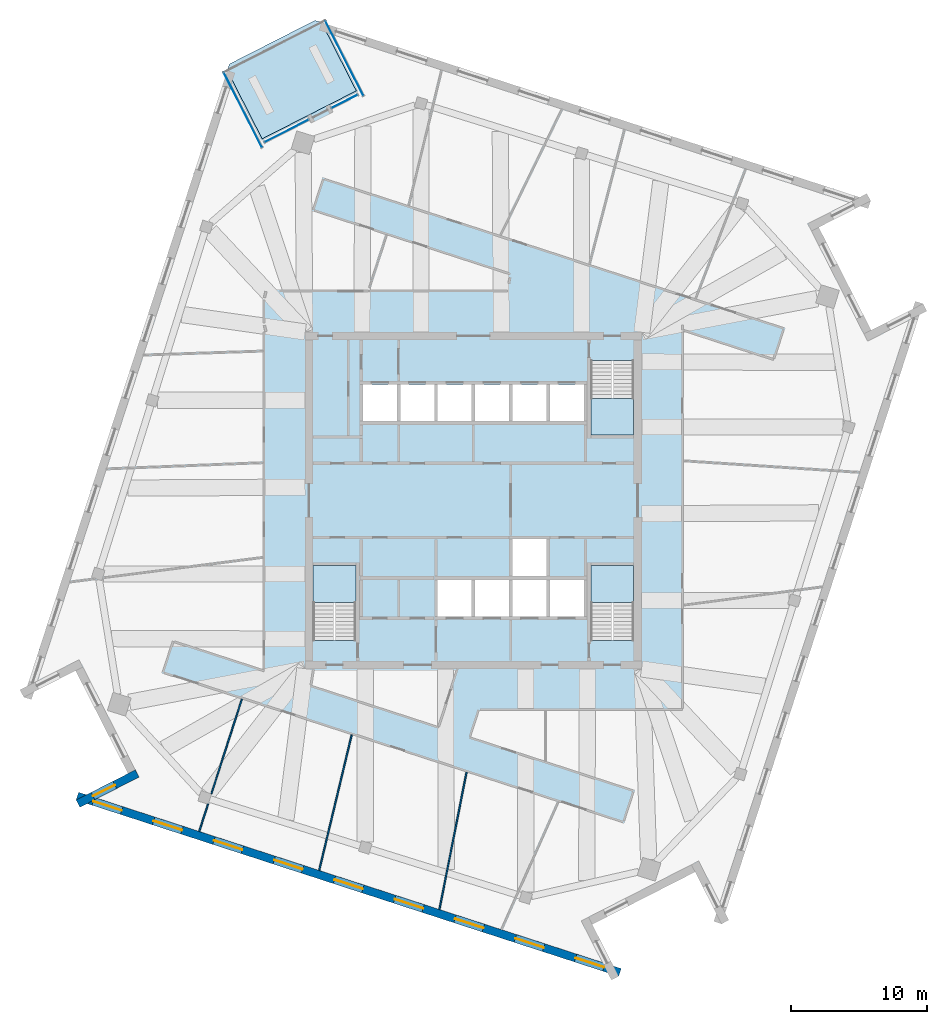
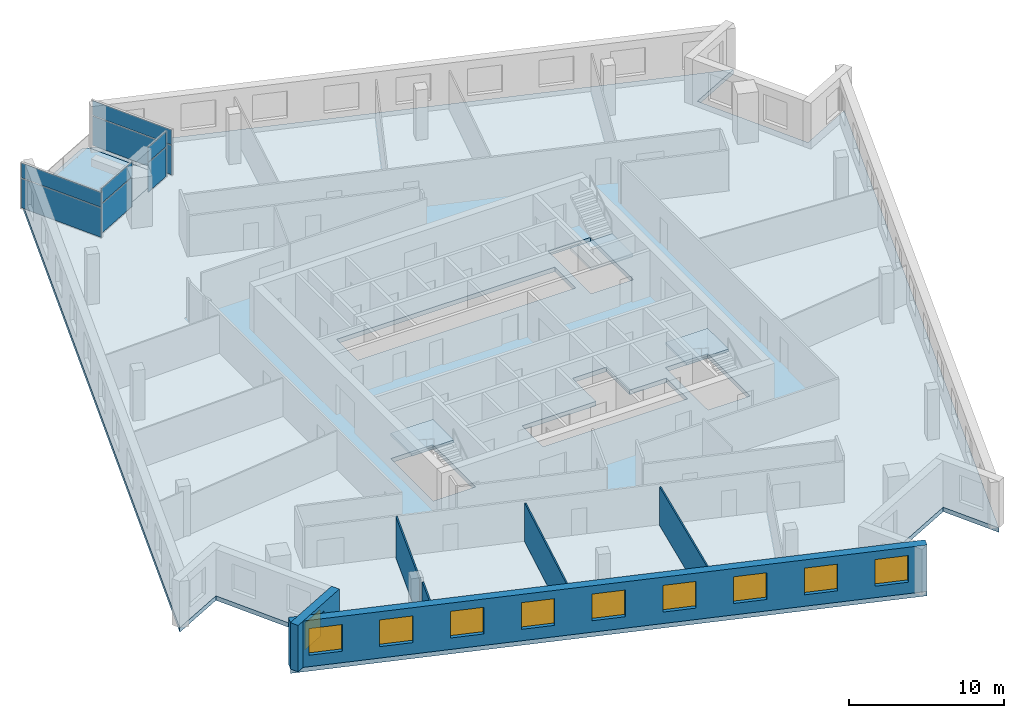
# One storey, part 5 of 13: 10 windows, 8 plates, 6 walls, 5 slabs, 10 openings, 7 elements without a shape of their own.
"""IFC4 building model written with IfcOpenShell, lengths in metres."""

from ifc_helpers import new_model, si_unit, direction, frame, frame_2d, origin, origin_2d, place, context, subcontext, project, spatial, polyline, rectangle, outline, extrude, material, layer, layer_set, type_object, element, fill, aggregate, save


model = new_model("IFC4")

# Units and contexts
model_context = context("Model", 3, precision=1e-05, world=origin(), true_north=direction((0.0, 1.0)))
body_context = subcontext(model_context, "Body", "Model", "MODEL_VIEW")
ifc_project = project(units=[si_unit("LENGTHUNIT", "METRE"), si_unit("AREAUNIT", "SQUARE_METRE"), si_unit("VOLUMEUNIT", "CUBIC_METRE"), si_unit("PLANEANGLEUNIT", "RADIAN"), si_unit("MASSUNIT", "GRAM", prefix="KILO")], contexts=[model_context])

# Site, building, storey
site_placement = place(None, origin())
site = spatial("IfcSite", under=ifc_project, at=site_placement, CompositionType="ELEMENT")
building_placement = place(site_placement, origin())
building = spatial("IfcBuilding", under=site, at=building_placement, Name="Dilmun Exchange Tower", CompositionType="ELEMENT")
storey_placement = place(building_placement, frame((0.0, 0.0, 320.5)))
storey = spatial("IfcBuildingStorey", under=building, at=storey_placement, Name="L76", CompositionType="ELEMENT", Elevation=320.5)

# Stair, slab
ifc_material_1 = material(Name="Concrete C40/50", Category="concrete")
stair_type = type_object("IfcStairType", Name="Exit stair 1500 half-turn", PredefinedType="HALF_TURN_STAIR", material=ifc_material_1)
stair_1_placement = place(storey_placement, origin())
stair_1 = element("IfcStair", 1, at=stair_1_placement, inside=storey, type_object=stair_type, Name="L76 Protected exit stair ST1", PredefinedType="HALF_TURN_STAIR")
ifc_layer_1 = layer(ifc_material_1, 0.199951171875)
ifc_layer_set_1 = layer_set([ifc_layer_1], Name="Concrete C40/50")
slab_type_1 = type_object("IfcSlabType", Name="Exit stair landing 200", PredefinedType="LANDING", material=ifc_layer_set_1)
slab_1_placement = place(storey_placement, frame((0.0, 0.0, 1.800048828125)))
slab_1 = element("IfcSlab", 2, at=slab_1_placement, type_object=slab_type_1, Name="ST1 landing 1", PredefinedType="LANDING", context=body_context, shape_type="SweptSolid", body=[
    extrude(outline(polyline([(8.64990234375, 7.5), (8.64990234375, 4.800048828125), (11.800048828125, 4.800048828125), (11.800048828125, 7.5), (8.64990234375, 7.5)])), origin(), (0.0, 0.0, 1.0), 0.199951171875),
])
aggregate(stair_1, [slab_1])

stair_2_placement = place(storey_placement, origin())
stair_2 = element("IfcStair", 3, at=stair_2_placement, inside=storey, type_object=stair_type, Name="L76 Protected exit stair ST2", PredefinedType="HALF_TURN_STAIR")
slab_2_placement = place(storey_placement, frame((0.0, 0.0, 1.800048828125)))
slab_2 = element("IfcSlab", 4, at=slab_2_placement, type_object=slab_type_1, Name="ST2 landing 1", PredefinedType="LANDING", context=body_context, shape_type="SweptSolid", body=[
    extrude(outline(polyline([(-8.64990234375, -7.5), (-8.64990234375, -4.800048828125), (-11.800048828125, -4.800048828125), (-11.800048828125, -7.5), (-8.64990234375, -7.5)])), origin(), (0.0, 0.0, 1.0), 0.199951171875),
])
aggregate(stair_2, [slab_2])

stair_3_placement = place(storey_placement, origin())
stair_3 = element("IfcStair", 5, at=stair_3_placement, inside=storey, type_object=stair_type, Name="L76 Protected exit stair ST3", PredefinedType="HALF_TURN_STAIR")
slab_3_placement = place(storey_placement, frame((0.0, 0.0, 1.800048828125)))
slab_3 = element("IfcSlab", 6, at=slab_3_placement, type_object=slab_type_1, Name="ST3 landing 1", PredefinedType="LANDING", context=body_context, shape_type="SweptSolid", body=[
    extrude(outline(polyline([(11.800048828125, -7.5), (11.800048828125, -4.800048828125), (8.64990234375, -4.800048828125), (8.64990234375, -7.5), (11.800048828125, -7.5)])), origin(), (0.0, 0.0, 1.0), 0.199951171875),
])
aggregate(stair_3, [slab_3])

# Curtain wall, plates
ifc_material_2 = material(Name="Anodised aluminium and clear glass", Category="aluminium")
curtain_wall_type = type_object("IfcCurtainWallType", Name="Garden corner glazing", PredefinedType="NOTDEFINED", material=ifc_material_2)
curtain_wall_1_placement = place(storey_placement, origin())
curtain_wall_1 = element("IfcCurtainWall", 7, at=curtain_wall_1_placement, inside=storey, type_object=curtain_wall_type, Name="Garden corner glazing run GC1.1", PredefinedType="NOTDEFINED")
ifc_material_3 = material(Name="Clear glass", Category="glass")
ifc_layer_2 = layer(ifc_material_3, 0.028076171875)
ifc_layer_set_2 = layer_set([ifc_layer_2], Name="Clear glass")
plate_type = type_object("IfcPlateType", Name="Garden corner glazing glass panel 28", PredefinedType="CURTAIN_PANEL", material=ifc_layer_set_2)
plate_1_placement = place(storey_placement, frame((-9.491943359375, 32.529052734375, 0.06005859375), z_axis=(0.0, 0.0, 1.0), x_axis=(0.453982137668, -0.891010784827, 0.0)))
plate_1 = element("IfcPlate", 8, at=plate_1_placement, type_object=plate_type, Name="GC1.1 panel 1.1", PredefinedType="CURTAIN_PANEL", context=body_context, shape_type="SweptSolid", body=[
    extrude(rectangle(XDim=6.12646484375, YDim=0.028076171875, at=origin_2d()), origin(), (0.0, 0.0, 1.0), 2.31005859375),
])
plate_2_placement = place(storey_placement, frame((-9.491943359375, 32.529052734375, 2.43017578125), z_axis=(0.0, 0.0, 1.0), x_axis=(0.453982137668, -0.891010784827, 0.0)))
plate_2 = element("IfcPlate", 9, at=plate_2_placement, type_object=plate_type, Name="GC1.1 panel 1.2", PredefinedType="CURTAIN_PANEL", context=body_context, shape_type="SweptSolid", body=[
    extrude(rectangle(XDim=6.12646484375, YDim=0.028076171875, at=origin_2d()), origin(), (0.0, 0.0, 1.0), 1.159912109375),
])
aggregate(curtain_wall_1, [plate_1, plate_2])

curtain_wall_2_placement = place(storey_placement, origin())
curtain_wall_2 = element("IfcCurtainWall", 10, at=curtain_wall_2_placement, inside=storey, type_object=curtain_wall_type, Name="Garden corner glazing run GC2.1", PredefinedType="NOTDEFINED")
plate_3_placement = place(storey_placement, frame((-9.47509765625, 29.368896484375, 0.06005859375), z_axis=(0.0, 0.0, 1.0), x_axis=(-0.891007115267, -0.453989339681, 0.0)))
plate_3 = element("IfcPlate", 11, at=plate_3_placement, type_object=plate_type, Name="GC2.1 panel 1.1", PredefinedType="CURTAIN_PANEL", context=body_context, shape_type="SweptSolid", body=[
    extrude(rectangle(XDim=2.119140625, YDim=0.028076171875, at=origin_2d()), origin(), (0.0, 0.0, 1.0), 2.31005859375),
])
plate_4_placement = place(storey_placement, frame((-9.47509765625, 29.368896484375, 2.43017578125), z_axis=(0.0, 0.0, 1.0), x_axis=(-0.891007115267, -0.453989339681, 0.0)))
plate_4 = element("IfcPlate", 12, at=plate_4_placement, type_object=plate_type, Name="GC2.1 panel 1.2", PredefinedType="CURTAIN_PANEL", context=body_context, shape_type="SweptSolid", body=[
    extrude(rectangle(XDim=2.119140625, YDim=0.028076171875, at=origin_2d()), origin(), (0.0, 0.0, 1.0), 1.159912109375),
])
aggregate(curtain_wall_2, [plate_3, plate_4])

curtain_wall_3_placement = place(storey_placement, origin())
curtain_wall_3 = element("IfcCurtainWall", 13, at=curtain_wall_3_placement, inside=storey, type_object=curtain_wall_type, Name="Garden corner glazing run GC2.3", PredefinedType="NOTDEFINED")
plate_5_placement = place(storey_placement, frame((-13.7421875, 27.19482421875, 0.06005859375), z_axis=(0.0, 0.0, 1.0), x_axis=(-0.891010309204, -0.453983071152, 0.0)))
plate_5 = element("IfcPlate", 14, at=plate_5_placement, type_object=plate_type, Name="GC2.3 panel 1.1", PredefinedType="CURTAIN_PANEL", context=body_context, shape_type="SweptSolid", body=[
    extrude(rectangle(XDim=3.619140625, YDim=0.028076171875, at=origin_2d()), origin(), (0.0, 0.0, 1.0), 2.31005859375),
])
plate_6_placement = place(storey_placement, frame((-13.7421875, 27.19482421875, 2.43017578125), z_axis=(0.0, 0.0, 1.0), x_axis=(-0.891010309204, -0.453983071152, 0.0)))
plate_6 = element("IfcPlate", 15, at=plate_6_placement, type_object=plate_type, Name="GC2.3 panel 1.2", PredefinedType="CURTAIN_PANEL", context=body_context, shape_type="SweptSolid", body=[
    extrude(rectangle(XDim=3.619140625, YDim=0.028076171875, at=origin_2d()), origin(), (0.0, 0.0, 1.0), 1.159912109375),
])
aggregate(curtain_wall_3, [plate_5, plate_6])

curtain_wall_4_placement = place(storey_placement, origin())
curtain_wall_4 = element("IfcCurtainWall", 16, at=curtain_wall_4_placement, inside=storey, type_object=curtain_wall_type, Name="Garden corner glazing run GC3.1", PredefinedType="NOTDEFINED")
plate_7_placement = place(storey_placement, frame((-16.95703125, 28.725341796875, 0.06005859375), z_axis=(0.0, 0.0, 1.0), x_axis=(-0.453988613418, 0.891007485315, 0.0)))
plate_7 = element("IfcPlate", 17, at=plate_7_placement, type_object=plate_type, Name="GC3.1 panel 1.1", PredefinedType="CURTAIN_PANEL", context=body_context, shape_type="SweptSolid", body=[
    extrude(rectangle(XDim=6.12646484375, YDim=0.028076171875, at=origin_2d()), origin(), (0.0, 0.0, 1.0), 2.31005859375),
])
plate_8_placement = place(storey_placement, frame((-16.95703125, 28.725341796875, 2.43017578125), z_axis=(0.0, 0.0, 1.0), x_axis=(-0.453988613418, 0.891007485315, 0.0)))
plate_8 = element("IfcPlate", 18, at=plate_8_placement, type_object=plate_type, Name="GC3.1 panel 1.2", PredefinedType="CURTAIN_PANEL", context=body_context, shape_type="SweptSolid", body=[
    extrude(rectangle(XDim=6.12646484375, YDim=0.028076171875, at=origin_2d()), origin(), (0.0, 0.0, 1.0), 1.159912109375),
])
aggregate(curtain_wall_4, [plate_7, plate_8])

# Slabs
ifc_layer_3 = layer(ifc_material_1, 0.35009765625)
ifc_layer_set_3 = layer_set([ifc_layer_3], Name="Concrete C40/50")
slab_type_2 = type_object("IfcSlabType", Name="RC floor slab 350", PredefinedType="FLOOR", material=ifc_layer_set_3)
slab_4_placement = place(storey_placement, frame((0.0, 0.0, -0.35009765625)))
element("IfcSlab", 19, at=slab_4_placement, inside=storey, type_object=slab_type_2, Name="Floor slab", PredefinedType="FLOOR", context=body_context, shape_type="SweptSolid", body=[
    extrude(outline(polyline([(25.414306640625, 20.10009765625), (29.273193359375, 12.5263671875), (33.091796875, 14.471923828125), (18.265380859375, -31.158935546875), (16.319580078125, -27.340576171875), (8.74609375, -31.199462890625), (10.69189453125, -35.017822265625), (-29.23291015625, -22.045654296875), (-25.414306640625, -20.10009765625), (-29.273193359375, -12.5263671875), (-33.091796875, -14.471923828125), (-18.107666015625, 31.644287109375), (-15.544189453125, 26.61328125), (-8.61376953125, 30.14453125), (-11.17724609375, 35.175537109375), (29.23291015625, 22.045654296875), (25.414306640625, 20.10009765625)]), holes=[polyline([(-8.64990234375, -4.800048828125), (-11.800048828125, -4.800048828125), (-11.800048828125, -10.294921875), (-8.64990234375, -10.294921875), (-8.64990234375, -4.800048828125)]), polyline([(11.800048828125, -4.800048828125), (8.64990234375, -4.800048828125), (8.64990234375, -10.294921875), (11.800048828125, -10.294921875), (11.800048828125, -4.800048828125)]), polyline([(2.875, -5.85009765625), (-2.625, -5.85009765625), (-2.625, -8.550048828125), (8.125, -8.550048828125), (8.125, -5.85009765625), (5.375, -5.85009765625), (5.375, -2.85009765625), (2.875, -2.85009765625), (2.875, -5.85009765625)]), polyline([(8.125, 5.85009765625), (8.125, 8.550048828125), (-8.125, 8.550048828125), (-8.125, 5.85009765625), (8.125, 5.85009765625)]), polyline([(8.64990234375, 10.294921875), (8.64990234375, 4.800048828125), (11.800048828125, 4.800048828125), (11.800048828125, 10.294921875), (8.64990234375, 10.294921875)])]), origin(), (0.0, 0.0, 1.0), 0.35009765625),
])
ifc_layer_4 = layer(ifc_material_1, 0.300048828125)
ifc_layer_set_4 = layer_set([ifc_layer_4], Name="Concrete C40/50")
slab_type_3 = type_object("IfcSlabType", Name="RC garden terrace slab 300", PredefinedType="FLOOR", material=ifc_layer_set_4)
slab_5_placement = place(storey_placement, frame((0.0, 0.0, -0.300048828125)))
element("IfcSlab", 20, at=slab_5_placement, inside=storey, type_object=slab_type_3, Name="Garden terrace slab", PredefinedType="FLOOR", context=body_context, shape_type="SweptSolid", body=[
    extrude(outline(polyline([(-15.544189453125, 26.61328125), (-18.107666015625, 31.644287109375), (-17.953125, 32.119873046875), (-11.652587890625, 35.330078125), (-11.17724609375, 35.175537109375), (-8.61376953125, 30.14453125), (-15.544189453125, 26.61328125)])), origin(), (0.0, 0.0, 1.0), 0.300048828125),
])

# Walls
ifc_material_4 = material(Name="Partition 100")
ifc_layer_5 = layer(ifc_material_4, 0.10009765625)
ifc_layer_set_5 = layer_set([ifc_layer_5], Name="Partition 100")
wall_type_1 = type_object("IfcWallType", Name="Partition 100", PredefinedType="PARTITIONING", material=ifc_layer_set_5)
wall_1_placement = place(storey_placement, frame((-20.17626953125, -24.355224609375, 0.0), z_axis=(0.0, 0.0, 1.0), x_axis=(0.307097655816, 0.951678007412, 0.0)))
element("IfcWall", 21, at=wall_1_placement, inside=storey, type_object=wall_type_1, Name="Partition", PredefinedType="PARTITIONING", context=body_context, shape_type="SweptSolid", body=[
    extrude(rectangle(XDim=2.105224609375, YDim=0.10009765625, at=frame_2d((1.052734375, 0.0))), origin(), (0.0, 0.0, 1.0), 3.64990234375),
])
wall_2_placement = place(storey_placement, frame((-19.2841796875, -21.59033203125, 0.0), z_axis=(0.0, 0.0, 1.0), x_axis=(0.307047557854, 0.951694172103, 0.0)))
element("IfcWall", 22, at=wall_2_placement, inside=storey, type_object=wall_type_1, Name="Partition", PredefinedType="PARTITIONING", context=body_context, shape_type="SweptSolid", body=[
    extrude(rectangle(XDim=7.327880859375, YDim=0.10009765625, at=frame_2d((3.6640625, 0.0))), origin(), (0.0, 0.0, 1.0), 3.25),
])
wall_3_placement = place(storey_placement, frame((-11.34716796875, -27.223876953125, 0.0), z_axis=(0.0, 0.0, 1.0), x_axis=(0.233270362444, 0.972411917865, 0.0)))
element("IfcWall", 23, at=wall_3_placement, inside=storey, type_object=wall_type_1, Name="Partition", PredefinedType="PARTITIONING", context=body_context, shape_type="SweptSolid", body=[
    extrude(rectangle(XDim=10.2607421875, YDim=0.10009765625, at=frame_2d((5.13037109375, 0.0))), origin(), (0.0, 0.0, 1.0), 3.050048828125),
])
wall_4_placement = place(storey_placement, frame((-2.498291015625, -30.09912109375, 0.0), z_axis=(0.0, 0.0, 1.0), x_axis=(0.193832041147, 0.981034729164, 0.0)))
element("IfcWall", 24, at=wall_4_placement, inside=storey, type_object=wall_type_1, Name="Partition", PredefinedType="PARTITIONING", context=body_context, shape_type="SweptSolid", body=[
    extrude(rectangle(XDim=10.300537109375, YDim=0.10009765625, at=frame_2d((5.150390625, 0.0))), origin(), (0.0, 0.0, 1.0), 3.050048828125),
])

# Wall, opening, window
ifc_material_5 = material(Name="Precast concrete C50/60", Category="concrete")
ifc_layer_6 = layer(ifc_material_5, 0.60009765625)
ifc_layer_set_6 = layer_set([ifc_layer_6], Name="Precast concrete C50/60")
wall_type_2 = type_object("IfcWallType", Name="Precast stone-clad wall 600", PredefinedType="STANDARD", material=ifc_layer_set_6)
wall_5_placement = place(storey_placement, frame((-24.74365234375, -20.094970703125, 0.0), z_axis=(0.0, 0.0, 1.0), x_axis=(-0.891003264926, -0.453996896346, 0.0)))
wall_5 = element("IfcWall", 25, at=wall_5_placement, inside=storey, type_object=wall_type_2, Name="Facade wall L76-06", PredefinedType="STANDARD", context=body_context, shape_type="SweptSolid", body=[
    extrude(rectangle(XDim=4.885498046875, YDim=0.60009765625, at=frame_2d((2.44287109375, 0.0))), origin(), (0.0, 0.0, 1.0), 3.64990234375),
])
opening_1_placement = place(wall_5_placement, frame((1.8427734375, 0.0, 0.89990234375)))
opening_1 = element("IfcOpeningElement", 26, at=opening_1_placement, cuts=wall_5, Name="Opening W180-210", PredefinedType="OPENING", context=body_context, shape_type="SweptSolid", body=[
    extrude(rectangle(XDim=1.800048828125, YDim=2.10009765625, at=frame_2d((0.89990234375, 1.050048828125))), frame((0.0, 0.31005859375, 0.0), z_axis=(0.0, -1.0, 0.0), x_axis=(1.0, 0.0, 0.0)), (0.0, 0.0, 1.0), 0.6201171875),
])
ifc_material_6 = material(Name="Clear low-emissivity glass in aluminium frame", Category="aluminium")
window_type_1 = type_object("IfcWindowType", Name="Punched window 1800 x 2100", PartitioningType="DOUBLE_PANEL_VERTICAL", PredefinedType="WINDOW", material=ifc_material_6)
window_1_placement = place(opening_1_placement, origin())
window_1 = element("IfcWindow", 27, at=window_1_placement, inside=storey, type_object=window_type_1, Name="Window 7.1", OverallHeight=2.10009765625, OverallWidth=1.800048828125, PartitioningType="SINGLE_PANEL", PredefinedType="WINDOW", context=body_context, shape_type="SweptSolid", body=[
    extrude(rectangle(XDim=1.800048828125, YDim=2.10009765625, at=frame_2d((0.89990234375, 1.050048828125))), frame((0.0, 0.030029296875, 0.0), z_axis=(0.0, -1.0, 0.0), x_axis=(1.0, 0.0, 0.0)), (0.0, 0.0, 1.0), 0.06005859375),
])
fill(opening_1, window_1)

# Wall, openings, windows
wall_6_placement = place(storey_placement, frame((-29.14013671875, -21.76025390625, 0.0), z_axis=(0.0, 0.0, 1.0), x_axis=(0.951057273207, -0.309014664831, 0.0)))
wall_6 = element("IfcWall", 28, at=wall_6_placement, inside=storey, type_object=wall_type_2, Name="Facade wall L76-07", PredefinedType="STANDARD", context=body_context, shape_type="SweptSolid", body=[
    extrude(rectangle(XDim=41.979248046875, YDim=0.60009765625, at=frame_2d((20.98974609375, 0.0))), origin(), (0.0, 0.0, 1.0), 3.64990234375),
])
opening_2_placement = place(wall_6_placement, frame((1.232177734375, 0.0, 0.89990234375)))
opening_2 = element("IfcOpeningElement", 29, at=opening_2_placement, cuts=wall_6, Name="Opening W220-210", PredefinedType="OPENING", context=body_context, shape_type="SweptSolid", body=[
    extrude(rectangle(XDim=2.199951171875, YDim=2.10009765625, at=frame_2d((1.10009765625, 1.050048828125))), frame((0.0, 0.31005859375, 0.0), z_axis=(0.0, -1.0, 0.0), x_axis=(1.0, 0.0, 0.0)), (0.0, 0.0, 1.0), 0.6201171875),
])
opening_3_placement = place(wall_6_placement, frame((5.896484375, 0.0, 0.89990234375)))
opening_3 = element("IfcOpeningElement", 30, at=opening_3_placement, cuts=wall_6, Name="Opening W220-210", PredefinedType="OPENING", context=body_context, shape_type="SweptSolid", body=[
    extrude(rectangle(XDim=2.199951171875, YDim=2.10009765625, at=frame_2d((1.10009765625, 1.050048828125))), frame((0.0, 0.31005859375, 0.0), z_axis=(0.0, -1.0, 0.0), x_axis=(1.0, 0.0, 0.0)), (0.0, 0.0, 1.0), 0.6201171875),
])
opening_4_placement = place(wall_6_placement, frame((10.560791015625, 0.0, 0.89990234375)))
opening_4 = element("IfcOpeningElement", 31, at=opening_4_placement, cuts=wall_6, Name="Opening W220-210", PredefinedType="OPENING", context=body_context, shape_type="SweptSolid", body=[
    extrude(rectangle(XDim=2.199951171875, YDim=2.10009765625, at=frame_2d((1.10009765625, 1.050048828125))), frame((0.0, 0.31005859375, 0.0), z_axis=(0.0, -1.0, 0.0), x_axis=(1.0, 0.0, 0.0)), (0.0, 0.0, 1.0), 0.6201171875),
])
opening_5_placement = place(wall_6_placement, frame((15.22509765625, 0.0, 0.89990234375)))
opening_5 = element("IfcOpeningElement", 32, at=opening_5_placement, cuts=wall_6, Name="Opening W220-210", PredefinedType="OPENING", context=body_context, shape_type="SweptSolid", body=[
    extrude(rectangle(XDim=2.199951171875, YDim=2.10009765625, at=frame_2d((1.10009765625, 1.050048828125))), frame((0.0, 0.31005859375, 0.0), z_axis=(0.0, -1.0, 0.0), x_axis=(1.0, 0.0, 0.0)), (0.0, 0.0, 1.0), 0.6201171875),
])
opening_6_placement = place(wall_6_placement, frame((19.8896484375, 0.0, 0.89990234375)))
opening_6 = element("IfcOpeningElement", 33, at=opening_6_placement, cuts=wall_6, Name="Opening W220-210", PredefinedType="OPENING", context=body_context, shape_type="SweptSolid", body=[
    extrude(rectangle(XDim=2.199951171875, YDim=2.10009765625, at=frame_2d((1.10009765625, 1.050048828125))), frame((0.0, 0.31005859375, 0.0), z_axis=(0.0, -1.0, 0.0), x_axis=(1.0, 0.0, 0.0)), (0.0, 0.0, 1.0), 0.6201171875),
])
opening_7_placement = place(wall_6_placement, frame((24.553955078125, 0.0, 0.89990234375)))
opening_7 = element("IfcOpeningElement", 34, at=opening_7_placement, cuts=wall_6, Name="Opening W220-210", PredefinedType="OPENING", context=body_context, shape_type="SweptSolid", body=[
    extrude(rectangle(XDim=2.199951171875, YDim=2.10009765625, at=frame_2d((1.10009765625, 1.050048828125))), frame((0.0, 0.31005859375, 0.0), z_axis=(0.0, -1.0, 0.0), x_axis=(1.0, 0.0, 0.0)), (0.0, 0.0, 1.0), 0.6201171875),
])
opening_8_placement = place(wall_6_placement, frame((29.21826171875, 0.0, 0.89990234375)))
opening_8 = element("IfcOpeningElement", 35, at=opening_8_placement, cuts=wall_6, Name="Opening W220-210", PredefinedType="OPENING", context=body_context, shape_type="SweptSolid", body=[
    extrude(rectangle(XDim=2.199951171875, YDim=2.10009765625, at=frame_2d((1.10009765625, 1.050048828125))), frame((0.0, 0.31005859375, 0.0), z_axis=(0.0, -1.0, 0.0), x_axis=(1.0, 0.0, 0.0)), (0.0, 0.0, 1.0), 0.6201171875),
])
opening_9_placement = place(wall_6_placement, frame((33.8828125, 0.0, 0.89990234375)))
opening_9 = element("IfcOpeningElement", 36, at=opening_9_placement, cuts=wall_6, Name="Opening W220-210", PredefinedType="OPENING", context=body_context, shape_type="SweptSolid", body=[
    extrude(rectangle(XDim=2.199951171875, YDim=2.10009765625, at=frame_2d((1.10009765625, 1.050048828125))), frame((0.0, 0.31005859375, 0.0), z_axis=(0.0, -1.0, 0.0), x_axis=(1.0, 0.0, 0.0)), (0.0, 0.0, 1.0), 0.6201171875),
])
opening_10_placement = place(wall_6_placement, frame((38.547119140625, 0.0, 0.89990234375)))
opening_10 = element("IfcOpeningElement", 37, at=opening_10_placement, cuts=wall_6, Name="Opening W220-210", PredefinedType="OPENING", context=body_context, shape_type="SweptSolid", body=[
    extrude(rectangle(XDim=2.199951171875, YDim=2.10009765625, at=frame_2d((1.10009765625, 1.050048828125))), frame((0.0, 0.31005859375, 0.0), z_axis=(0.0, -1.0, 0.0), x_axis=(1.0, 0.0, 0.0)), (0.0, 0.0, 1.0), 0.6201171875),
])
window_type_2 = type_object("IfcWindowType", Name="Punched window 2200 x 2100", PartitioningType="DOUBLE_PANEL_VERTICAL", PredefinedType="WINDOW", material=ifc_material_6)
window_2_placement = place(opening_2_placement, origin())
window_2 = element("IfcWindow", 38, at=window_2_placement, inside=storey, type_object=window_type_2, Name="Window 8.1", OverallHeight=2.10009765625, OverallWidth=2.199951171875, PartitioningType="SINGLE_PANEL", PredefinedType="WINDOW", context=body_context, shape_type="SweptSolid", body=[
    extrude(rectangle(XDim=2.199951171875, YDim=2.10009765625, at=frame_2d((1.10009765625, 1.050048828125))), frame((0.0, 0.030029296875, 0.0), z_axis=(0.0, -1.0, 0.0), x_axis=(1.0, 0.0, 0.0)), (0.0, 0.0, 1.0), 0.06005859375),
])
fill(opening_2, window_2)
window_3_placement = place(opening_3_placement, origin())
window_3 = element("IfcWindow", 39, at=window_3_placement, inside=storey, type_object=window_type_2, Name="Window 8.2", OverallHeight=2.10009765625, OverallWidth=2.199951171875, PartitioningType="SINGLE_PANEL", PredefinedType="WINDOW", context=body_context, shape_type="SweptSolid", body=[
    extrude(rectangle(XDim=2.199951171875, YDim=2.10009765625, at=frame_2d((1.10009765625, 1.050048828125))), frame((0.0, 0.030029296875, 0.0), z_axis=(0.0, -1.0, 0.0), x_axis=(1.0, 0.0, 0.0)), (0.0, 0.0, 1.0), 0.06005859375),
])
fill(opening_3, window_3)
window_4_placement = place(opening_4_placement, origin())
window_4 = element("IfcWindow", 40, at=window_4_placement, inside=storey, type_object=window_type_2, Name="Window 8.3", OverallHeight=2.10009765625, OverallWidth=2.199951171875, PartitioningType="SINGLE_PANEL", PredefinedType="WINDOW", context=body_context, shape_type="SweptSolid", body=[
    extrude(rectangle(XDim=2.199951171875, YDim=2.10009765625, at=frame_2d((1.10009765625, 1.050048828125))), frame((0.0, 0.030029296875, 0.0), z_axis=(0.0, -1.0, 0.0), x_axis=(1.0, 0.0, 0.0)), (0.0, 0.0, 1.0), 0.06005859375),
])
fill(opening_4, window_4)
window_5_placement = place(opening_5_placement, origin())
window_5 = element("IfcWindow", 41, at=window_5_placement, inside=storey, type_object=window_type_2, Name="Window 8.4", OverallHeight=2.10009765625, OverallWidth=2.199951171875, PartitioningType="SINGLE_PANEL", PredefinedType="WINDOW", context=body_context, shape_type="SweptSolid", body=[
    extrude(rectangle(XDim=2.199951171875, YDim=2.10009765625, at=frame_2d((1.10009765625, 1.050048828125))), frame((0.0, 0.030029296875, 0.0), z_axis=(0.0, -1.0, 0.0), x_axis=(1.0, 0.0, 0.0)), (0.0, 0.0, 1.0), 0.06005859375),
])
fill(opening_5, window_5)
window_6_placement = place(opening_6_placement, origin())
window_6 = element("IfcWindow", 42, at=window_6_placement, inside=storey, type_object=window_type_2, Name="Window 8.5", OverallHeight=2.10009765625, OverallWidth=2.199951171875, PartitioningType="SINGLE_PANEL", PredefinedType="WINDOW", context=body_context, shape_type="SweptSolid", body=[
    extrude(rectangle(XDim=2.199951171875, YDim=2.10009765625, at=frame_2d((1.10009765625, 1.050048828125))), frame((0.0, 0.030029296875, 0.0), z_axis=(0.0, -1.0, 0.0), x_axis=(1.0, 0.0, 0.0)), (0.0, 0.0, 1.0), 0.06005859375),
])
fill(opening_6, window_6)
window_7_placement = place(opening_7_placement, origin())
window_7 = element("IfcWindow", 43, at=window_7_placement, inside=storey, type_object=window_type_2, Name="Window 8.6", OverallHeight=2.10009765625, OverallWidth=2.199951171875, PartitioningType="SINGLE_PANEL", PredefinedType="WINDOW", context=body_context, shape_type="SweptSolid", body=[
    extrude(rectangle(XDim=2.199951171875, YDim=2.10009765625, at=frame_2d((1.10009765625, 1.050048828125))), frame((0.0, 0.030029296875, 0.0), z_axis=(0.0, -1.0, 0.0), x_axis=(1.0, 0.0, 0.0)), (0.0, 0.0, 1.0), 0.06005859375),
])
fill(opening_7, window_7)
window_8_placement = place(opening_8_placement, origin())
window_8 = element("IfcWindow", 44, at=window_8_placement, inside=storey, type_object=window_type_2, Name="Window 8.7", OverallHeight=2.10009765625, OverallWidth=2.199951171875, PartitioningType="SINGLE_PANEL", PredefinedType="WINDOW", context=body_context, shape_type="SweptSolid", body=[
    extrude(rectangle(XDim=2.199951171875, YDim=2.10009765625, at=frame_2d((1.10009765625, 1.050048828125))), frame((0.0, 0.030029296875, 0.0), z_axis=(0.0, -1.0, 0.0), x_axis=(1.0, 0.0, 0.0)), (0.0, 0.0, 1.0), 0.06005859375),
])
fill(opening_8, window_8)
window_9_placement = place(opening_9_placement, origin())
window_9 = element("IfcWindow", 45, at=window_9_placement, inside=storey, type_object=window_type_2, Name="Window 8.8", OverallHeight=2.10009765625, OverallWidth=2.199951171875, PartitioningType="SINGLE_PANEL", PredefinedType="WINDOW", context=body_context, shape_type="SweptSolid", body=[
    extrude(rectangle(XDim=2.199951171875, YDim=2.10009765625, at=frame_2d((1.10009765625, 1.050048828125))), frame((0.0, 0.030029296875, 0.0), z_axis=(0.0, -1.0, 0.0), x_axis=(1.0, 0.0, 0.0)), (0.0, 0.0, 1.0), 0.06005859375),
])
fill(opening_9, window_9)
window_10_placement = place(opening_10_placement, origin())
window_10 = element("IfcWindow", 46, at=window_10_placement, inside=storey, type_object=window_type_2, Name="Window 8.9", OverallHeight=2.10009765625, OverallWidth=2.199951171875, PartitioningType="SINGLE_PANEL", PredefinedType="WINDOW", context=body_context, shape_type="SweptSolid", body=[
    extrude(rectangle(XDim=2.199951171875, YDim=2.10009765625, at=frame_2d((1.10009765625, 1.050048828125))), frame((0.0, 0.030029296875, 0.0), z_axis=(0.0, -1.0, 0.0), x_axis=(1.0, 0.0, 0.0)), (0.0, 0.0, 1.0), 0.06005859375),
])
fill(opening_10, window_10)

save(model, "model.ifc")
